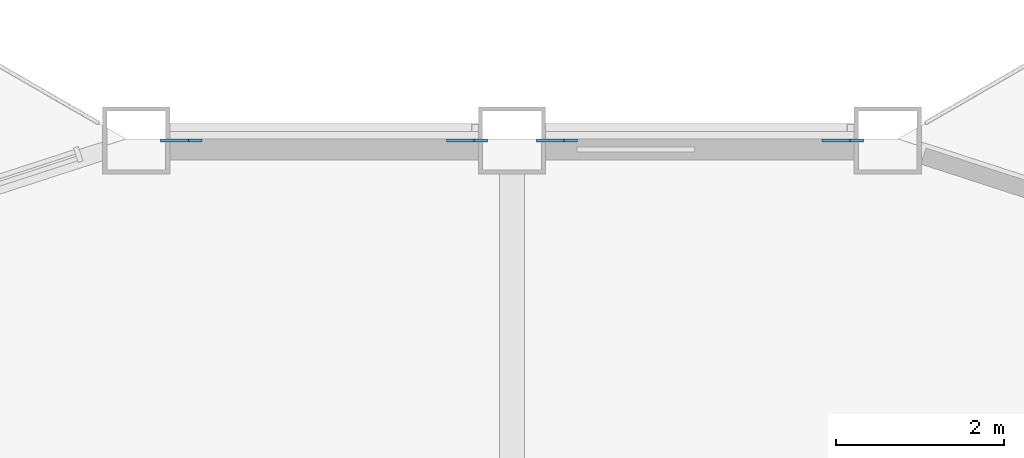
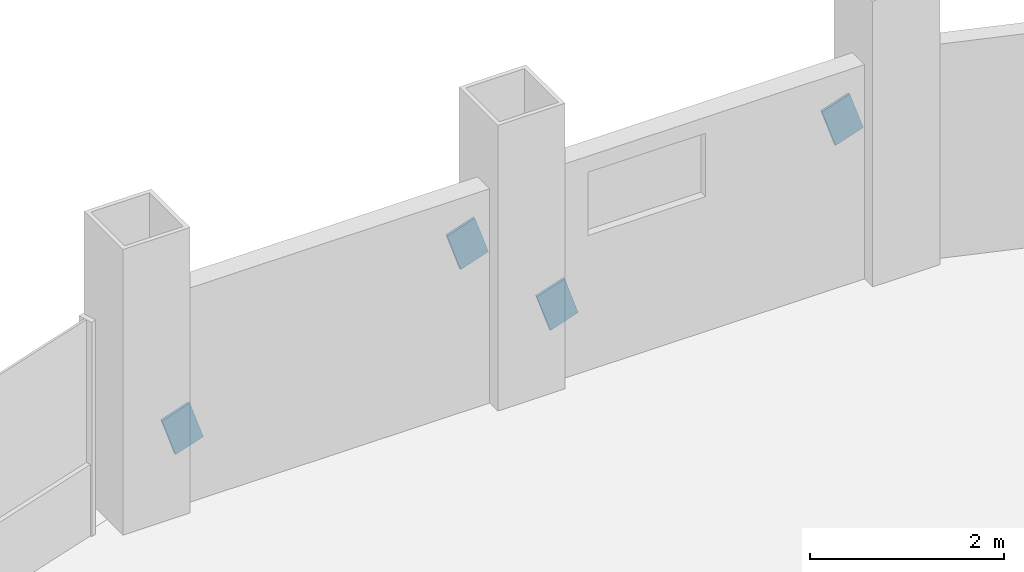
# One storey, part 18 of 23: 4 discrete accessories.
"""IFC4 building model written with IfcOpenShell, lengths in metres."""

from ifc_helpers import new_model, si_unit, direction, frame, origin, origin_2d, place, context, subcontext, project, spatial, rectangle, extrude, material, material_profile, profile_set, type_object, element, save


model = new_model("IFC4")

# Units and contexts
model_context = context("Model", 3, precision=1e-05, world=origin(), true_north=direction((0.0, 1.0)))
body_context = subcontext(model_context, "Body", "Model", "MODEL_VIEW")
ifc_project = project(units=[si_unit("LENGTHUNIT", "METRE"), si_unit("AREAUNIT", "SQUARE_METRE"), si_unit("VOLUMEUNIT", "CUBIC_METRE"), si_unit("PLANEANGLEUNIT", "RADIAN"), si_unit("MASSUNIT", "GRAM", prefix="KILO")], contexts=[model_context])

# Site, building, storey
site_placement = place(None, origin())
site = spatial("IfcSite", under=ifc_project, at=site_placement, CompositionType="ELEMENT")
building_placement = place(site_placement, origin())
building = spatial("IfcBuilding", under=site, at=building_placement, Name="Cormorant Prow Tower", CompositionType="ELEMENT")
storey_placement = place(building_placement, frame((0.0, 0.0, 208.800048828125)))
storey = spatial("IfcBuildingStorey", under=building, at=storey_placement, Name="L46", CompositionType="ELEMENT", Elevation=208.800048828125)

# Discrete accessories
ifc_material = material(Name="Structural steel ASTM A500 Gr C", Category="steel")
ifc_material_profile = material_profile(ifc_material, rectangle(XDim=0.031982421875, YDim=0.506103515625, at=origin_2d()), Name="Gusset plate 32x506")
ifc_profile_set = profile_set([ifc_material_profile], Name="Structural steel ASTM A500 Gr C")
discrete_accessory_type = type_object("IfcDiscreteAccessoryType", Name="Gusset plate 32x506", PredefinedType="BRACKET", material=ifc_profile_set)
discrete_accessory_1_placement = place(storey_placement, frame((0.701416015625, 32.3994140625, 0.83544921875), z_axis=(-0.948053578163, 0.0, -0.318110692893), x_axis=(0.0, -1.0, 0.0)))
element("IfcDiscreteAccessory", 1, at=discrete_accessory_1_placement, inside=storey, type_object=discrete_accessory_type, Name="Gusset plate GP2 L46.N00.g0", PredefinedType="BRACKET", context=body_context, shape_type="SweptSolid", body=[
    extrude(rectangle(XDim=0.031982421875, YDim=0.506103515625, at=origin_2d()), origin(), (0.0, 0.0, 1.0), 0.349853515625),
])
discrete_accessory_2_placement = place(storey_placement, frame((3.768798828125, 32.3994140625, 1.865234375), z_axis=(0.947843027885, 0.0, 0.318737500915), x_axis=(0.0, 1.0, 0.0)))
element("IfcDiscreteAccessory", 2, at=discrete_accessory_2_placement, inside=storey, type_object=discrete_accessory_type, Name="Gusset plate GP2 L46.N00.g1", PredefinedType="BRACKET", context=body_context, shape_type="SweptSolid", body=[
    extrude(rectangle(XDim=0.031982421875, YDim=0.506103515625, at=origin_2d()), origin(), (0.0, 0.0, 1.0), 0.35009765625),
])
discrete_accessory_3_placement = place(storey_placement, frame((-3.768798828125, 32.3994140625, 0.83544921875), z_axis=(-0.948053578163, 0.0, -0.318110692893), x_axis=(0.0, -1.0, 0.0)))
element("IfcDiscreteAccessory", 3, at=discrete_accessory_3_placement, inside=storey, type_object=discrete_accessory_type, Name="Gusset plate GP2 L46.N01.g0", PredefinedType="BRACKET", context=body_context, shape_type="SweptSolid", body=[
    extrude(rectangle(XDim=0.031982421875, YDim=0.506103515625, at=origin_2d()), origin(), (0.0, 0.0, 1.0), 0.349853515625),
])
discrete_accessory_4_placement = place(storey_placement, frame((-0.701416015625, 32.3994140625, 1.865234375), z_axis=(0.947843027885, 0.0, 0.318737500915), x_axis=(0.0, 1.0, 0.0)))
element("IfcDiscreteAccessory", 4, at=discrete_accessory_4_placement, inside=storey, type_object=discrete_accessory_type, Name="Gusset plate GP2 L46.N01.g1", PredefinedType="BRACKET", context=body_context, shape_type="SweptSolid", body=[
    extrude(rectangle(XDim=0.031982421875, YDim=0.506103515625, at=origin_2d()), origin(), (0.0, 0.0, 1.0), 0.35009765625),
])

save(model, "model.ifc")
